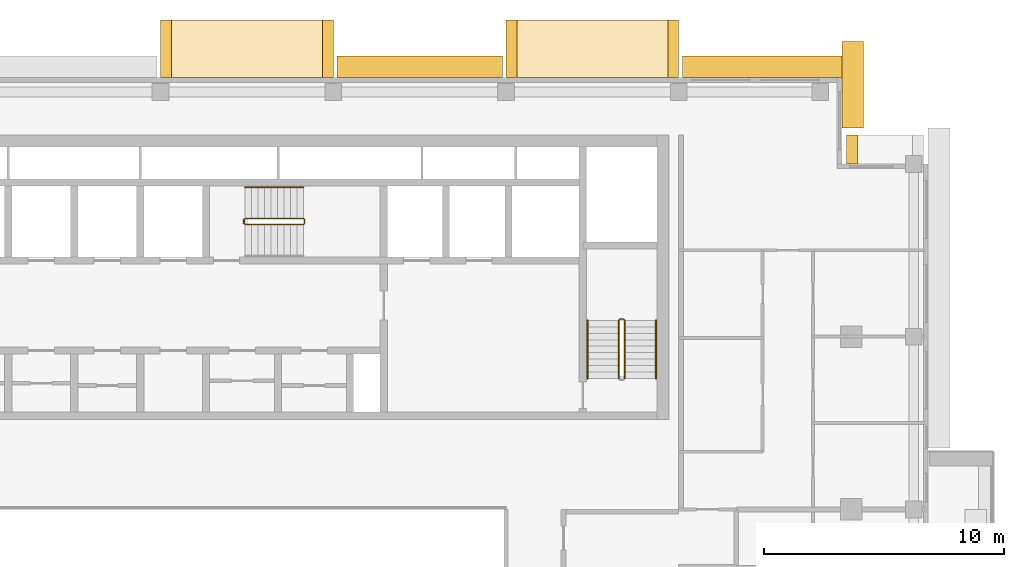
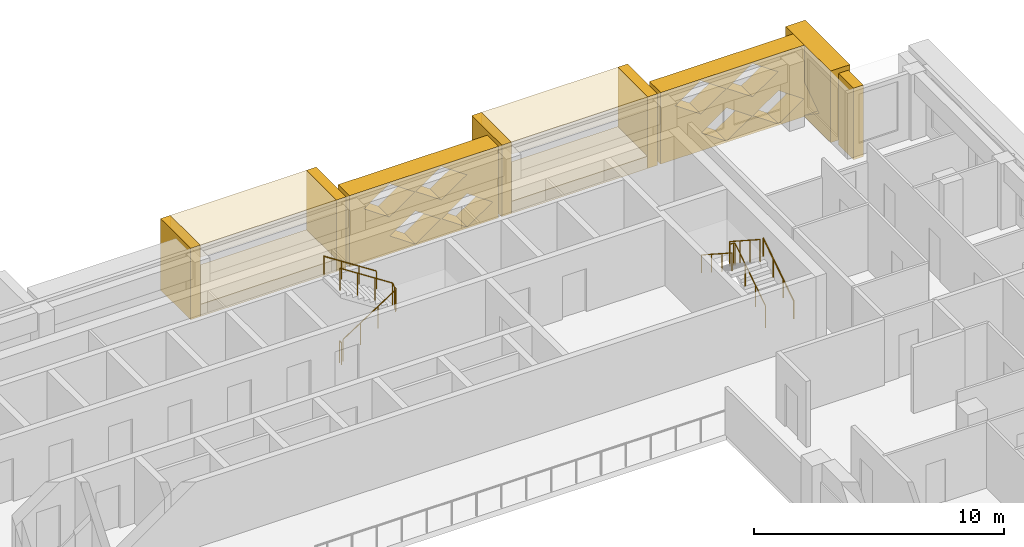
# One storey, part 18 of 19: 12 coverings, 6 railings.
"""IFC4 building model written with IfcOpenShell, lengths in metres."""

import ifcopenshell
import ifcopenshell.guid

model = None  # the IFC model being written
_history = None  # IfcOwnerHistory: only IFC2X3 demands one
_inside = {}  # id of a spatial element -> (the spatial element, [elements in it])
_under = {}  # id of a project, library or spatial element -> (it, [spatial elements below it])
_declared = {}  # id of a project -> (the project, [libraries it declares])
_typed = {}  # id of a type object -> (the type object, [elements of that type])
_made_of = {}  # id of a material, layer set ... -> (it, [elements and type objects made of it])


def new_model(schema):
    """Start an empty IFC model of exactly this schema.

    Asked for "IFC4X3", IfcOpenShell would pick the latest addendum, in which some entities
    have other attributes; the version numbers below select the first issue.
    IFC2X3 requires an IfcOwnerHistory on every rooted entity: one is made here for all.
    """
    global model, _history
    if schema == "IFC4X3":
        model = ifcopenshell.file(schema_version=(4, 3, 0, 0))
    else:
        model = ifcopenshell.file(schema=schema)
    _inside.clear()
    _under.clear()
    _declared.clear()
    _typed.clear()
    _made_of.clear()
    _history = None
    if model.schema == "IFC2X3":
        org = make("IfcOrganization", Name="unknown")
        user = make(
            "IfcPersonAndOrganization",
            ThePerson=make("IfcPerson", FamilyName="unknown"),
            TheOrganization=org,
        )
        app = make(
            "IfcApplication",
            ApplicationDeveloper=org,
            Version="unknown",
            ApplicationFullName="unknown",
            ApplicationIdentifier="unknown",
        )
        _history = make(
            "IfcOwnerHistory",
            OwningUser=user,
            OwningApplication=app,
            ChangeAction="ADDED",
            CreationDate=0,
        )
    return model


def make(cls, **values):
    """One entity of the class cls with the attributes given. An attribute that is None is left unset."""
    return model.create_entity(
        cls, **{name: value for name, value in values.items() if value is not None}
    )


def rooted(cls, **values):
    """An entity with a GlobalId (a new one), such as an element, a storey or a relation."""
    return make(cls, GlobalId=ifcopenshell.guid.new(), OwnerHistory=_history, **values)


def si_unit(unit_type, name, prefix=None):
    """IfcSIUnit, for example si_unit("LENGTHUNIT", "METRE", prefix="MILLI")."""
    return make("IfcSIUnit", UnitType=unit_type, Prefix=prefix, Name=name)


def assignment(units):
    """IfcUnitAssignment: the units of a project."""
    return None if units is None else make("IfcUnitAssignment", Units=units)


def point(xyz):
    """IfcCartesianPoint."""
    return None if xyz is None else make("IfcCartesianPoint", Coordinates=xyz)


def direction(xyz):
    """IfcDirection."""
    return None if xyz is None else make("IfcDirection", DirectionRatios=xyz)


def frame(location, z_axis=None, x_axis=None):
    """IfcAxis2Placement3D, a coordinate frame: its origin and axes. An axis left out is left unset."""
    return make(
        "IfcAxis2Placement3D",
        Location=point(location),
        Axis=direction(z_axis),
        RefDirection=direction(x_axis),
    )


def frame_2d(location, x_axis=None):
    """IfcAxis2Placement2D, a coordinate frame in the plane: its origin and x axis."""
    return make(
        "IfcAxis2Placement2D", Location=point(location), RefDirection=direction(x_axis)
    )


def origin():
    """The frame at (0, 0, 0) with its axes left unset."""
    return frame((0.0, 0.0, 0.0))


def origin_2d():
    """The frame at (0, 0) in the plane with its x axis left unset."""
    return frame_2d((0.0, 0.0))


def place(relative_to, where):
    """IfcLocalPlacement: puts the frame where relative to a parent placement (None: the world)."""
    return make(
        "IfcLocalPlacement", PlacementRelTo=relative_to, RelativePlacement=where
    )


def context(
    kind, dimensions, precision=None, world=None, true_north=None, identifier=None
):
    """IfcGeometricRepresentationContext, for example the 3D "Model" context."""
    return make(
        "IfcGeometricRepresentationContext",
        ContextIdentifier=identifier,
        ContextType=kind,
        CoordinateSpaceDimension=dimensions,
        Precision=precision,
        WorldCoordinateSystem=world,
        TrueNorth=true_north,
    )


def subcontext(parent, identifier, kind, view, scale=None):
    """IfcGeometricRepresentationSubContext, for example "Body" below "Model"."""
    return make(
        "IfcGeometricRepresentationSubContext",
        ContextIdentifier=identifier,
        ContextType=kind,
        ParentContext=parent,
        TargetScale=scale,
        TargetView=view,
    )


def project(units=None, contexts=None):
    """IfcProject with its units and contexts."""
    return rooted(
        "IfcProject",
        Name="project",
        RepresentationContexts=contexts,
        UnitsInContext=assignment(units),
    )


def spatial(cls, under=None, at=None, **own):
    """A site, building, storey or space (cls), placed at a placement, below another one or the project."""
    s = rooted(cls, ObjectPlacement=at, **own)
    if under is not None:
        _under.setdefault(under.id(), (under, []))[1].append(s)
    return s


def polyline(points):
    """IfcPolyline through the points."""
    return make("IfcPolyline", Points=[point(p) for p in points])


def profile(cls, at=None, kind="AREA", **sizes):
    """A parametric profile (cls). Its sizes go by their IFC names, for example OverallWidth=200.0."""
    return make(cls, ProfileType=kind, Position=at, **sizes)


def circle(**sizes):
    """IfcCircleProfileDef."""
    return profile("IfcCircleProfileDef", **sizes)


def outline(outer, holes=None, kind="AREA"):
    """IfcArbitraryClosedProfileDef: a profile drawn as a closed curve; with holes, ...WithVoids."""
    if holes is None:
        return make("IfcArbitraryClosedProfileDef", ProfileType=kind, OuterCurve=outer)
    return make(
        "IfcArbitraryProfileDefWithVoids",
        ProfileType=kind,
        OuterCurve=outer,
        InnerCurves=holes,
    )


def extrude(swept, where, along, depth):
    """IfcExtrudedAreaSolid: the profile swept, set in the frame where, extruded along a direction by depth."""
    return make(
        "IfcExtrudedAreaSolid",
        SweptArea=swept,
        Position=where,
        ExtrudedDirection=direction(along),
        Depth=depth,
    )


def shape(context_of_items, identifier, shape_type, items):
    """IfcShapeRepresentation: the items that make up one representation, for example the "Body"."""
    return make(
        "IfcShapeRepresentation",
        ContextOfItems=context_of_items,
        RepresentationIdentifier=identifier,
        RepresentationType=shape_type,
        Items=items,
    )


def material(Name=None, Category=None):
    """IfcMaterial."""
    return make("IfcMaterial", Name=Name, Category=Category)


def made_of(thing, what):
    """Note that an element or type object is made of a material, layer set ...; save() writes the relation."""
    if what is not None:
        _made_of.setdefault(what.id(), (what, []))[1].append(thing)
    return thing


def type_object(cls, material=None, **own):
    """A type object (cls), such as IfcWallType, which elements share."""
    return made_of(rooted(cls, **own), material)


def element(
    cls,
    number,
    at=None,
    inside=None,
    cuts=None,
    type_object=None,
    material=None,
    context=None,
    identifier="Body",
    shape_type=None,
    held_by="IfcProductDefinitionShape",
    body=None,
    shapes=None,
    **own,
):
    """One element of the class cls, such as IfcWall. Its Tag is "e" and its number.

    at: its placement. inside: the storey or other place that contains it. cuts: it is an
    opening in that element (IfcRelVoidsElement). A single representation is given by context,
    identifier, shape_type and body (its items); several are given by shapes. held_by: the class
    of the entity that holds the representations. save() writes the other relations.
    """
    e = rooted(cls, Tag="e%d" % number, ObjectPlacement=at, **own)
    if body is not None:
        shapes = [shape(context, identifier, shape_type, body)]
    if shapes is not None:
        e.Representation = make(held_by, Representations=shapes)
    if inside is not None:
        _inside.setdefault(inside.id(), (inside, []))[1].append(e)
    if cuts is not None:
        rooted(
            "IfcRelVoidsElement", RelatingBuildingElement=cuts, RelatedOpeningElement=e
        )
    if type_object is not None:
        _typed.setdefault(type_object.id(), (type_object, []))[1].append(e)
    return made_of(e, material)


def aggregate(whole, parts):
    """IfcRelAggregates: a whole, such as a stair, and the parts it consists of."""
    return rooted("IfcRelAggregates", RelatingObject=whole, RelatedObjects=parts)


def save(model, path):
    """Write the relations noted so far, then the file.

    IfcRelAggregates (storeys below a building ...), IfcRelContainedInSpatialStructure (elements
    in a storey), IfcRelDefinesByType, IfcRelAssociatesMaterial and IfcRelDeclares: one each for
    every whole, place, type object, material and project.
    """
    for whole, parts in _under.values():
        aggregate(whole, parts)
    for where, things in _inside.values():
        rooted(
            "IfcRelContainedInSpatialStructure",
            RelatedElements=things,
            RelatingStructure=where,
        )
    for kind, things in _typed.values():
        rooted("IfcRelDefinesByType", RelatedObjects=things, RelatingType=kind)
    for what, things in _made_of.values():
        rooted("IfcRelAssociatesMaterial", RelatedObjects=things, RelatingMaterial=what)
    for by, libraries in _declared.values():
        rooted("IfcRelDeclares", RelatingContext=by, RelatedDefinitions=libraries)
    model.write(path)


model = new_model("IFC4")

# Units and contexts
model_context = context("Model", 3, precision=1e-05, world=origin(), true_north=direction((0.0, 1.0)))
body_context = subcontext(model_context, "Body", "Model", "MODEL_VIEW")
ifc_project = project(units=[si_unit("LENGTHUNIT", "METRE"), si_unit("AREAUNIT", "SQUARE_METRE"), si_unit("VOLUMEUNIT", "CUBIC_METRE"), si_unit("PLANEANGLEUNIT", "RADIAN"), si_unit("MASSUNIT", "GRAM", prefix="KILO")], contexts=[model_context])

# Site, building, storey
site_placement = place(None, origin())
site = spatial("IfcSite", under=ifc_project, at=site_placement, CompositionType="ELEMENT")
building_placement = place(site_placement, origin())
building = spatial("IfcBuilding", under=site, at=building_placement, Name="Saffron Iwan Residences", CompositionType="ELEMENT")
storey_placement = place(building_placement, frame((0.0, 0.0, 222.0)))
storey = spatial("IfcBuildingStorey", under=building, at=storey_placement, Name="L59", CompositionType="ELEMENT", Elevation=222.0)

# Coverings
ifc_material_1 = material(Name="Precast concrete C40/50", Category="concrete")
covering_type_1 = type_object("IfcCoveringType", Name="OUTER SKIN LATTICE SCREEN", PredefinedType="CLADDING", material=ifc_material_1)
covering_1_placement = place(storey_placement, frame((78.800048828125, 78.300048828125, -0.280029296875), z_axis=(1.0, 0.0, 0.0), x_axis=(0.0, 1.0, 0.0)))
element("IfcCovering", 1, at=covering_1_placement, inside=storey, type_object=covering_type_1, Name="OUTER SKIN lattice screen L59 F4.0", PredefinedType="CLADDING", context=body_context, shape_type="SweptSolid", body=[
    extrude(outline(polyline([(0.0, 0.0), (3.60009765625, 0.0), (3.60009765625, 3.5), (0.0, 3.5), (0.0, 0.0)]), holes=[polyline([(0.919921875, 0.875), (2.10009765625, 0.06005859375), (3.280029296875, 0.875), (2.10009765625, 1.68994140625), (0.919921875, 0.875)])]), origin(), (0.0, 0.0, 1.0), 0.89990234375),
])
covering_2_placement = place(storey_placement, frame((79.699951171875, 80.39990234375, -0.280029296875), z_axis=(0.0, 1.0, 0.0), x_axis=(-1.0, 0.0, 0.0)))
element("IfcCovering", 2, at=covering_2_placement, inside=storey, type_object=covering_type_1, Name="OUTER SKIN lattice screen L59 F5.0", PredefinedType="CLADDING", context=body_context, shape_type="SweptSolid", body=[
    extrude(outline(polyline([(0.0, 0.0), (7.550048828125, 0.0), (7.550048828125, 3.5), (0.0, 3.5), (0.0, 0.0)]), holes=[polyline([(0.919921875, 0.875), (2.10009765625, 0.06005859375), (3.280029296875, 0.875), (2.10009765625, 1.68994140625), (0.919921875, 0.875)]), polyline([(3.320068359375, 0.875), (4.5, 0.06005859375), (5.679931640625, 0.875), (4.5, 1.68994140625), (3.320068359375, 0.875)]), polyline([(2.1201171875, 2.625), (3.300048828125, 1.81005859375), (4.47998046875, 2.625), (3.300048828125, 3.43994140625), (2.1201171875, 2.625)]), polyline([(4.52001953125, 2.625), (5.699951171875, 1.81005859375), (6.8798828125, 2.625), (5.699951171875, 3.43994140625), (4.52001953125, 2.625)])]), origin(), (0.0, 0.0, 1.0), 0.900146484375),
])
covering_3_placement = place(storey_placement, frame((64.64990234375, 80.39990234375, -0.280029296875), z_axis=(0.0, 1.0, 0.0), x_axis=(-1.0, 0.0, 0.0)))
element("IfcCovering", 3, at=covering_3_placement, inside=storey, type_object=covering_type_1, Name="OUTER SKIN lattice screen L59 F5.1", PredefinedType="CLADDING", context=body_context, shape_type="SweptSolid", body=[
    extrude(outline(polyline([(0.0, 0.0), (6.89990234375, 0.0), (6.89990234375, 3.5), (0.0, 3.5), (0.0, 0.0)]), holes=[polyline([(0.27001953125, 0.875), (1.449951171875, 0.06005859375), (2.6298828125, 0.875), (1.449951171875, 1.68994140625), (0.27001953125, 0.875)]), polyline([(2.669921875, 0.875), (3.85009765625, 0.06005859375), (5.030029296875, 0.875), (3.85009765625, 1.68994140625), (2.669921875, 0.875)]), polyline([(1.469970703125, 2.625), (2.64990234375, 1.81005859375), (3.830078125, 2.625), (2.64990234375, 3.43994140625), (1.469970703125, 2.625)]), polyline([(3.8701171875, 2.625), (5.050048828125, 1.81005859375), (6.22998046875, 2.625), (5.050048828125, 3.43994140625), (3.8701171875, 2.625)])]), origin(), (0.0, 0.0, 1.0), 0.900146484375),
])

# Railings
ifc_material_2 = material(Name="Steel S355", Category="steel")
railing_type_1 = type_object("IfcRailingType", Name="Stair guard 1100", PredefinedType="GUARDRAIL", material=ifc_material_2)
railing_1_placement = place(storey_placement, frame((53.925048828125, 74.27490234375, 0.175048828125)))
element("IfcRailing", 4, at=railing_1_placement, inside=storey, type_object=railing_type_1, Name="L59 ST-C stair guard 1", PredefinedType="GUARDRAIL", context=body_context, shape_type="SweptSolid", body=[
    extrude(circle(Radius=0.02392578125, at=origin_2d()), frame((0.0, 0.0, 1.076171875), z_axis=(0.839153699163, 0.0, 0.543894354798), x_axis=(0.0, 1.0, 0.0)), (0.0, 0.0, 1.0), 2.895751953125),
    extrude(circle(Radius=0.02392578125, at=origin_2d()), frame((2.429931640625, 0.0, 2.65087890625), z_axis=(0.707106781187, 0.707106781187, 0.0), x_axis=(-0.707106781187, 0.707106781187, 0.0)), (0.0, 0.0, 1.0), 0.07080078125),
    extrude(circle(Radius=0.02392578125, at=origin_2d()), frame((2.47998046875, 0.050048828125, 2.65087890625), z_axis=(0.0, 1.0, 0.0), x_axis=(-1.0, 0.0, 0.0)), (0.0, 0.0, 1.0), 0.150146484375),
    extrude(circle(Radius=0.02392578125, at=origin_2d()), frame((2.47998046875, 0.2001953125, 2.65087890625), z_axis=(-0.265155923931, 0.263862480399, 0.927399011991), x_axis=(-0.705375805398, -0.708833529934, 0.0)), (0.0, 0.0, 1.0), 0.188720703125),
    extrude(circle(Radius=0.02392578125, at=origin_2d()), frame((2.429931640625, 0.25, 2.826171875), z_axis=(-0.839153699163, 0.0, 0.543894354798), x_axis=(0.0, -1.0, 0.0)), (0.0, 0.0, 1.0), 2.895751953125),
    extrude(circle(Radius=0.02099609375, at=origin_2d()), origin(), (0.0, 0.0, 1.0), 1.052001953125),
    extrude(circle(Radius=0.02099609375, at=origin_2d()), frame((0.81005859375, 0.0, 0.52490234375)), (0.0, 0.0, 1.0), 1.052001953125),
    extrude(circle(Radius=0.02099609375, at=origin_2d()), frame((1.619873046875, 0.0, 1.050048828125)), (0.0, 0.0, 1.0), 1.052001953125),
    extrude(circle(Radius=0.02099609375, at=origin_2d()), frame((2.429931640625, 0.0, 1.574951171875)), (0.0, 0.0, 1.0), 1.052001953125),
    extrude(circle(Radius=0.02099609375, at=origin_2d()), frame((2.47998046875, 0.050048828125, 1.574951171875)), (0.0, 0.0, 1.0), 1.052001953125),
    extrude(circle(Radius=0.02099609375, at=origin_2d()), frame((2.47998046875, 0.2001953125, 1.574951171875)), (0.0, 0.0, 1.0), 1.052001953125),
    extrude(circle(Radius=0.02099609375, at=origin_2d()), frame((2.429931640625, 0.25, 1.75)), (0.0, 0.0, 1.0), 1.052001953125),
    extrude(circle(Radius=0.02099609375, at=origin_2d()), frame((1.619873046875, 0.25, 2.27490234375)), (0.0, 0.0, 1.0), 1.052001953125),
    extrude(circle(Radius=0.02099609375, at=origin_2d()), frame((0.81005859375, 0.25, 2.800048828125)), (0.0, 0.0, 1.0), 1.052001953125),
    extrude(circle(Radius=0.02099609375, at=origin_2d()), frame((0.0, 0.25, 3.324951171875)), (0.0, 0.0, 1.0), 1.052001953125),
])
railing_2_placement = place(storey_placement, frame((53.875, 74.324951171875, 0.0)))
element("IfcRailing", 5, at=railing_2_placement, inside=storey, type_object=railing_type_1, Name="L59 ST-C stair guard 2", PredefinedType="GUARDRAIL", context=body_context, shape_type="SweptSolid", body=[
    extrude(circle(Radius=0.02392578125, at=origin_2d()), frame((0.0, 0.0, 1.076171875), z_axis=(0.0, 1.0, 0.0), x_axis=(-1.0, 0.0, 0.0)), (0.0, 0.0, 1.0), 0.150146484375),
    extrude(circle(Radius=0.02099609375, at=origin_2d()), origin(), (0.0, 0.0, 1.0), 1.052001953125),
    extrude(circle(Radius=0.02099609375, at=origin_2d()), frame((0.0, 0.150146484375, 0.0)), (0.0, 0.0, 1.0), 1.052001953125),
])
railing_3_placement = place(storey_placement, frame((69.75, 67.85009765625, 0.175048828125)))
element("IfcRailing", 6, at=railing_3_placement, inside=storey, type_object=railing_type_1, Name="L59 ST-E stair guard 1", PredefinedType="GUARDRAIL", context=body_context, shape_type="SweptSolid", body=[
    extrude(circle(Radius=0.02392578125, at=origin_2d()), frame((0.0, 0.0, 1.076171875), z_axis=(0.0, 0.839153699163, 0.543894354798), x_axis=(-1.0, 0.0, 0.0)), (0.0, 0.0, 1.0), 2.895751953125),
    extrude(circle(Radius=0.02392578125, at=origin_2d()), frame((0.0, 2.429931640625, 2.65087890625), z_axis=(-0.707106781187, 0.707106781187, 0.0), x_axis=(-0.707106781187, -0.707106781187, 0.0)), (0.0, 0.0, 1.0), 0.07080078125),
    extrude(circle(Radius=0.02392578125, at=origin_2d()), frame((-0.050048828125, 2.47998046875, 2.65087890625), z_axis=(-1.0, 0.0, 0.0), x_axis=(0.0, -1.0, 0.0)), (0.0, 0.0, 1.0), 0.14990234375),
    extrude(circle(Radius=0.02392578125, at=origin_2d()), frame((-0.199951171875, 2.47998046875, 2.65087890625), z_axis=(-0.265065253269, -0.265065253269, 0.927081885822), x_axis=(0.707106781187, -0.707106781187, 0.0)), (0.0, 0.0, 1.0), 0.188720703125),
    extrude(circle(Radius=0.02392578125, at=origin_2d()), frame((-0.25, 2.429931640625, 2.826171875), z_axis=(0.0, -0.839153699163, 0.543894354798), x_axis=(1.0, 0.0, 0.0)), (0.0, 0.0, 1.0), 2.895751953125),
    extrude(circle(Radius=0.02099609375, at=origin_2d()), origin(), (0.0, 0.0, 1.0), 1.052001953125),
    extrude(circle(Radius=0.02099609375, at=origin_2d()), frame((0.0, 0.81005859375, 0.52490234375)), (0.0, 0.0, 1.0), 1.052001953125),
    extrude(circle(Radius=0.02099609375, at=origin_2d()), frame((0.0, 1.619873046875, 1.050048828125)), (0.0, 0.0, 1.0), 1.052001953125),
    extrude(circle(Radius=0.02099609375, at=origin_2d()), frame((0.0, 2.429931640625, 1.574951171875)), (0.0, 0.0, 1.0), 1.052001953125),
    extrude(circle(Radius=0.02099609375, at=origin_2d()), frame((-0.050048828125, 2.47998046875, 1.574951171875)), (0.0, 0.0, 1.0), 1.052001953125),
    extrude(circle(Radius=0.02099609375, at=origin_2d()), frame((-0.199951171875, 2.47998046875, 1.574951171875)), (0.0, 0.0, 1.0), 1.052001953125),
    extrude(circle(Radius=0.02099609375, at=origin_2d()), frame((-0.25, 2.429931640625, 1.75)), (0.0, 0.0, 1.0), 1.052001953125),
    extrude(circle(Radius=0.02099609375, at=origin_2d()), frame((-0.25, 1.619873046875, 2.27490234375)), (0.0, 0.0, 1.0), 1.052001953125),
    extrude(circle(Radius=0.02099609375, at=origin_2d()), frame((-0.25, 0.81005859375, 2.800048828125)), (0.0, 0.0, 1.0), 1.052001953125),
    extrude(circle(Radius=0.02099609375, at=origin_2d()), frame((-0.25, 0.0, 3.324951171875)), (0.0, 0.0, 1.0), 1.052001953125),
])
ifc_material_3 = material(Name="Stainless steel 316", Category="steel")
railing_type_2 = type_object("IfcRailingType", Name="Stair handrail 900", PredefinedType="HANDRAIL", material=ifc_material_3)
railing_4_placement = place(storey_placement, frame((56.35498046875, 75.824951171875, 1.925048828125)))
element("IfcRailing", 7, at=railing_4_placement, inside=storey, type_object=railing_type_2, Name="L59 ST-C stair handrail 2", PredefinedType="HANDRAIL", context=body_context, shape_type="SweptSolid", body=[
    extrude(circle(Radius=0.02392578125, at=origin_2d()), frame((0.0, 0.0, 0.8759765625), z_axis=(-0.839153699163, 0.0, 0.543894354798), x_axis=(0.0, -1.0, 0.0)), (0.0, 0.0, 1.0), 2.895751953125),
    extrude(circle(Radius=0.02099609375, at=origin_2d()), origin(), (0.0, 0.0, 1.0), 0.851806640625),
    extrude(circle(Radius=0.02099609375, at=origin_2d()), frame((-0.81005859375, 0.0, 0.52490234375)), (0.0, 0.0, 1.0), 0.851806640625),
    extrude(circle(Radius=0.02099609375, at=origin_2d()), frame((-1.619873046875, 0.0, 1.050048828125)), (0.0, 0.0, 1.0), 0.851806640625),
    extrude(circle(Radius=0.02099609375, at=origin_2d()), frame((-2.429931640625, 0.0, 1.574951171875)), (0.0, 0.0, 1.0), 0.851806640625),
])
railing_5_placement = place(storey_placement, frame((71.050048828125, 67.85009765625, 0.175048828125)))
element("IfcRailing", 8, at=railing_5_placement, inside=storey, type_object=railing_type_2, Name="L59 ST-E stair handrail 1", PredefinedType="HANDRAIL", context=body_context, shape_type="SweptSolid", body=[
    extrude(circle(Radius=0.02392578125, at=origin_2d()), frame((0.0, 0.0, 0.8759765625), z_axis=(0.0, 0.839153699163, 0.543894354798), x_axis=(-1.0, 0.0, 0.0)), (0.0, 0.0, 1.0), 2.895751953125),
    extrude(circle(Radius=0.02099609375, at=origin_2d()), origin(), (0.0, 0.0, 1.0), 0.851806640625),
    extrude(circle(Radius=0.02099609375, at=origin_2d()), frame((0.0, 0.81005859375, 0.52490234375)), (0.0, 0.0, 1.0), 0.851806640625),
    extrude(circle(Radius=0.02099609375, at=origin_2d()), frame((0.0, 1.619873046875, 1.050048828125)), (0.0, 0.0, 1.0), 0.851806640625),
    extrude(circle(Radius=0.02099609375, at=origin_2d()), frame((0.0, 2.429931640625, 1.574951171875)), (0.0, 0.0, 1.0), 0.851806640625),
])
railing_6_placement = place(storey_placement, frame((68.199951171875, 70.280029296875, 1.925048828125)))
element("IfcRailing", 9, at=railing_6_placement, inside=storey, type_object=railing_type_2, Name="L59 ST-E stair handrail 2", PredefinedType="HANDRAIL", context=body_context, shape_type="SweptSolid", body=[
    extrude(circle(Radius=0.02392578125, at=origin_2d()), frame((0.0, 0.0, 0.8759765625), z_axis=(0.0, -0.839153699163, 0.543894354798), x_axis=(1.0, 0.0, 0.0)), (0.0, 0.0, 1.0), 2.895751953125),
    extrude(circle(Radius=0.02099609375, at=origin_2d()), origin(), (0.0, 0.0, 1.0), 0.851806640625),
    extrude(circle(Radius=0.02099609375, at=origin_2d()), frame((0.0, -0.81005859375, 0.52490234375)), (0.0, 0.0, 1.0), 0.851806640625),
    extrude(circle(Radius=0.02099609375, at=origin_2d()), frame((0.0, -1.619873046875, 1.050048828125)), (0.0, 0.0, 1.0), 0.851806640625),
    extrude(circle(Radius=0.02099609375, at=origin_2d()), frame((0.0, -2.429931640625, 1.574951171875)), (0.0, 0.0, 1.0), 0.851806640625),
])

# Coverings
ifc_material_4 = material(Name="Precast concrete C40/50 white painted", Category="concrete")
covering_type_2 = type_object("IfcCoveringType", Name="WHITE SUN FRAME PRECAST", PredefinedType="CLADDING", material=ifc_material_4)
covering_4_placement = place(storey_placement, frame((79.449951171875, 76.800048828125, -0.280029296875), z_axis=(0.0, 1.0, 0.0), x_axis=(-1.0, 0.0, 0.0)))
element("IfcCovering", 10, at=covering_4_placement, inside=storey, type_object=covering_type_2, Name="Sun frame L59 F3 0.2b", PredefinedType="CLADDING", context=body_context, shape_type="SweptSolid", body=[
    extrude(outline(polyline([(0.0, 0.0), (0.449951171875, 0.0), (0.449951171875, 3.5), (0.0, 3.5), (0.0, 0.0)])), origin(), (0.0, 0.0, 1.0), 1.199951171875),
])
for number, where, z_axis, x_axis, name in (
    (11, (72.0, 80.39990234375, -0.280029296875), (0.0, 1.0, 0.0), (-1.0, 0.0, 0.0), "Sun frame L59 F5 6.8a"),
    (12, (65.25, 80.39990234375, -0.280029296875), (0.0, 1.0, 0.0), (-1.0, 0.0, 0.0), "Sun frame L59 F5 6.8b"),
):
    element("IfcCovering", number, at=place(storey_placement, frame(where, z_axis=z_axis, x_axis=x_axis)), inside=storey, type_object=covering_type_2, Name=name, PredefinedType="CLADDING", context=body_context, shape_type="SweptSolid", body=[
        extrude(outline(polyline([(0.0, 0.0), (0.449951171875, 0.0), (0.449951171875, 3.5), (0.0, 3.5), (0.0, 0.0)])), origin(), (0.0, 0.0, 1.0), 2.400146484375),
    ])
for number, where, z_axis, x_axis, name in (
    (13, (71.550048828125, 80.39990234375, 2.6201171875), (0.0, 1.0, 0.0), (-1.0, 0.0, 0.0), "Sun frame L59 F5 6.8h"),
    (14, (71.550048828125, 80.39990234375, -0.280029296875), (0.0, 1.0, 0.0), (-1.0, 0.0, 0.0), "Sun frame L59 F5 6.8s"),
):
    element("IfcCovering", number, at=place(storey_placement, frame(where, z_axis=z_axis, x_axis=x_axis)), inside=storey, type_object=covering_type_2, Name=name, PredefinedType="CLADDING", context=body_context, shape_type="SweptSolid", body=[
        extrude(outline(polyline([(0.0, 0.0), (6.300048828125, 0.0), (6.300048828125, 0.60009765625), (0.0, 0.60009765625), (0.0, 0.0)])), origin(), (0.0, 0.0, 1.0), 2.400146484375),
    ])
for number, where, z_axis, x_axis, name in (
    (15, (57.60009765625, 80.39990234375, -0.280029296875), (0.0, 1.0, 0.0), (-1.0, 0.0, 0.0), "Sun frame L59 F5 21.2a"),
    (16, (50.85009765625, 80.39990234375, -0.280029296875), (0.0, 1.0, 0.0), (-1.0, 0.0, 0.0), "Sun frame L59 F5 21.2b"),
):
    element("IfcCovering", number, at=place(storey_placement, frame(where, z_axis=z_axis, x_axis=x_axis)), inside=storey, type_object=covering_type_2, Name=name, PredefinedType="CLADDING", context=body_context, shape_type="SweptSolid", body=[
        extrude(outline(polyline([(0.0, 0.0), (0.449951171875, 0.0), (0.449951171875, 3.5), (0.0, 3.5), (0.0, 0.0)])), origin(), (0.0, 0.0, 1.0), 2.400146484375),
    ])
for number, where, z_axis, x_axis, name in (
    (17, (57.14990234375, 80.39990234375, 2.6201171875), (0.0, 1.0, 0.0), (-1.0, 0.0, 0.0), "Sun frame L59 F5 21.2h"),
    (18, (57.14990234375, 80.39990234375, -0.280029296875), (0.0, 1.0, 0.0), (-1.0, 0.0, 0.0), "Sun frame L59 F5 21.2s"),
):
    element("IfcCovering", number, at=place(storey_placement, frame(where, z_axis=z_axis, x_axis=x_axis)), inside=storey, type_object=covering_type_2, Name=name, PredefinedType="CLADDING", context=body_context, shape_type="SweptSolid", body=[
        extrude(outline(polyline([(0.0, 0.0), (6.300048828125, 0.0), (6.300048828125, 0.60009765625), (0.0, 0.60009765625), (0.0, 0.0)])), origin(), (0.0, 0.0, 1.0), 2.400146484375),
    ])

save(model, "model.ifc")
